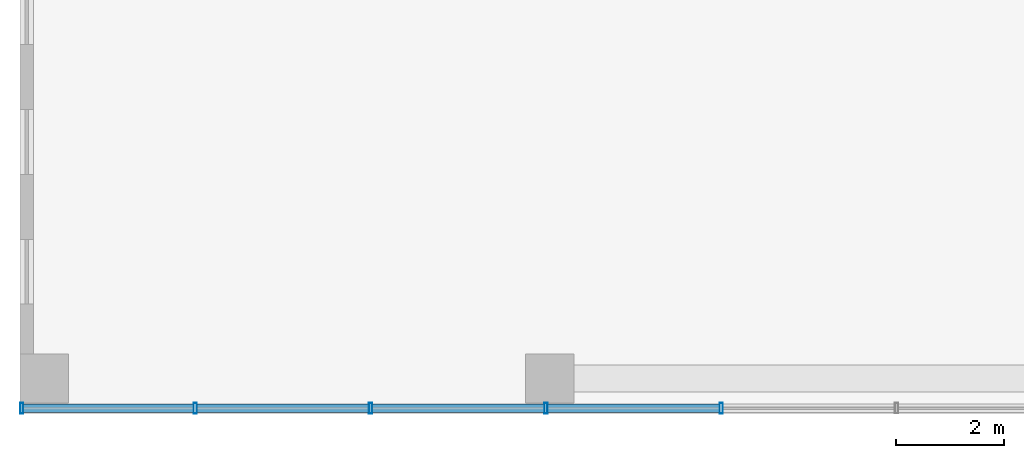
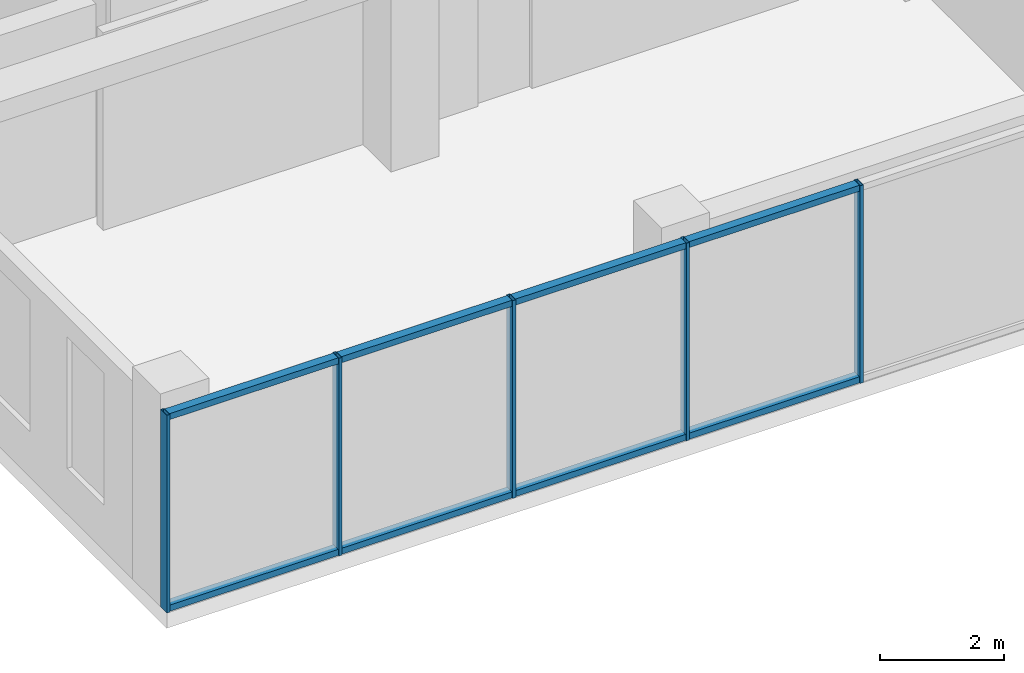
# One storey, part 2 of 38: 13 members, 1 element without a shape of its own.
"""IFC4 building model written with IfcOpenShell, lengths in metres."""

from ifc_helpers import new_model, si_unit, direction, frame, origin, origin_2d, place, context, subcontext, project, spatial, hollow_rectangle, extrude, material, layer, layer_set, material_profile, profile_set, type_object, element, aggregate, save


model = new_model("IFC4")

# Units and contexts
model_context = context("Model", 3, precision=1e-05, world=origin(), true_north=direction((0.0, 1.0)))
body_context = subcontext(model_context, "Body", "Model", "MODEL_VIEW")
ifc_project = project(units=[si_unit("LENGTHUNIT", "METRE"), si_unit("AREAUNIT", "SQUARE_METRE"), si_unit("VOLUMEUNIT", "CUBIC_METRE"), si_unit("PLANEANGLEUNIT", "RADIAN"), si_unit("MASSUNIT", "GRAM", prefix="KILO")], contexts=[model_context])

# Site, building, storey
site_placement = place(None, origin())
site = spatial("IfcSite", under=ifc_project, at=site_placement, CompositionType="ELEMENT")
building_placement = place(site_placement, origin())
building = spatial("IfcBuilding", under=site, at=building_placement, Name="Nzadi Deep Aquarium and Research Tower", CompositionType="ELEMENT")
storey_placement = place(building_placement, frame((0.0, 0.0, 48.699951171875)))
storey = spatial("IfcBuildingStorey", under=building, at=storey_placement, Name="L09", CompositionType="ELEMENT", Elevation=48.699951171875)

# Curtain wall, members
ifc_material_1 = material(Name="Aluminium unitised frame", Category="aluminium")
ifc_layer = layer(ifc_material_1, 0.199951171875)
ifc_layer_set = layer_set([ifc_layer], Name="Aluminium unitised frame")
curtain_wall_type = type_object("IfcCurtainWallType", Name="Curtain wall Unitised 200", PredefinedType="NOTDEFINED", material=ifc_layer_set)
curtain_wall_placement = place(storey_placement, origin())
curtain_wall = element("IfcCurtainWall", 1, at=curtain_wall_placement, inside=storey, type_object=curtain_wall_type, Name="Unitised curtain wall blade A south L09", PredefinedType="NOTDEFINED")
ifc_material_2 = material(Name="Aluminium unitised frame", Category="aluminium")
ifc_material_profile_1 = material_profile(ifc_material_2, hollow_rectangle(XDim=0.199951171875, YDim=0.06005859375, WallThickness=0.0048828125, at=origin_2d()))
ifc_profile_set_1 = profile_set([ifc_material_profile_1], Name="Aluminium unitised frame")
member_type_1 = type_object("IfcMemberType", Name="Mullion 60x200 Unitised", PredefinedType="MULLION", material=ifc_profile_set_1)
member_1_placement = place(storey_placement, frame((-0.16943359375, -0.10009765625, 0.0), z_axis=(0.0, 0.0, 1.0), x_axis=(0.0, 1.0, 0.0)))
member_1 = element("IfcMember", 2, at=member_1_placement, type_object=member_type_1, Name="CW029 mullion 1", PredefinedType="MULLION", context=body_context, shape_type="SweptSolid", body=[
    extrude(hollow_rectangle(XDim=0.199951171875, YDim=0.06005859375, WallThickness=0.0048828125, at=origin_2d()), origin(), (0.0, 0.0, 1.0), 3.900146484375),
])
member_2_placement = place(storey_placement, frame((3.043212890625, -0.10009765625, 0.0), z_axis=(0.0, 0.0, 1.0), x_axis=(0.0, 1.0, 0.0)))
member_2 = element("IfcMember", 3, at=member_2_placement, type_object=member_type_1, Name="CW029 mullion 2", PredefinedType="MULLION", context=body_context, shape_type="SweptSolid", body=[
    extrude(hollow_rectangle(XDim=0.199951171875, YDim=0.06005859375, WallThickness=0.0048828125, at=origin_2d()), origin(), (0.0, 0.0, 1.0), 3.900146484375),
])
member_3_placement = place(storey_placement, frame((6.28662109375, -0.10009765625, 0.0), z_axis=(0.0, 0.0, 1.0), x_axis=(0.0, 1.0, 0.0)))
member_3 = element("IfcMember", 4, at=member_3_placement, type_object=member_type_1, Name="CW029 mullion 3", PredefinedType="MULLION", context=body_context, shape_type="SweptSolid", body=[
    extrude(hollow_rectangle(XDim=0.199951171875, YDim=0.06005859375, WallThickness=0.0048828125, at=origin_2d()), origin(), (0.0, 0.0, 1.0), 3.900146484375),
])
member_4_placement = place(storey_placement, frame((9.530029296875, -0.10009765625, 0.0), z_axis=(0.0, 0.0, 1.0), x_axis=(0.0, 1.0, 0.0)))
member_4 = element("IfcMember", 5, at=member_4_placement, type_object=member_type_1, Name="CW029 mullion 4", PredefinedType="MULLION", context=body_context, shape_type="SweptSolid", body=[
    extrude(hollow_rectangle(XDim=0.199951171875, YDim=0.06005859375, WallThickness=0.0048828125, at=origin_2d()), origin(), (0.0, 0.0, 1.0), 3.900146484375),
])
member_5_placement = place(storey_placement, frame((12.7734375, -0.10009765625, 0.0), z_axis=(0.0, 0.0, 1.0), x_axis=(0.0, 1.0, 0.0)))
member_5 = element("IfcMember", 6, at=member_5_placement, type_object=member_type_1, Name="CW029 mullion 5", PredefinedType="MULLION", context=body_context, shape_type="SweptSolid", body=[
    extrude(hollow_rectangle(XDim=0.199951171875, YDim=0.06005859375, WallThickness=0.0048828125, at=origin_2d()), origin(), (0.0, 0.0, 1.0), 3.900146484375),
])
ifc_material_3 = material(Name="Aluminium unitised frame", Category="aluminium")
ifc_material_profile_2 = material_profile(ifc_material_3, hollow_rectangle(XDim=0.159912109375, YDim=0.1201171875, WallThickness=0.0048828125, at=origin_2d()))
ifc_profile_set_2 = profile_set([ifc_material_profile_2], Name="Aluminium unitised frame")
member_type_2 = type_object("IfcMemberType", Name="Transom 120x160 Unitised", PredefinedType="MULLION", material=ifc_profile_set_2)
member_6_placement = place(storey_placement, frame((-0.139892578125, -0.10009765625, 0.06005859375), z_axis=(1.0, 0.0, 0.0), x_axis=(0.0, 1.0, 0.0)))
member_6 = element("IfcMember", 7, at=member_6_placement, type_object=member_type_2, Name="CW029 transom 1.1", PredefinedType="MULLION", context=body_context, shape_type="SweptSolid", body=[
    extrude(hollow_rectangle(XDim=0.159912109375, YDim=0.1201171875, WallThickness=0.0048828125, at=origin_2d()), origin(), (0.0, 0.0, 1.0), 3.1533203125),
])
member_7_placement = place(storey_placement, frame((-0.139892578125, -0.10009765625, 3.840087890625), z_axis=(1.0, 0.0, 0.0), x_axis=(0.0, 1.0, 0.0)))
member_7 = element("IfcMember", 8, at=member_7_placement, type_object=member_type_2, Name="CW029 transom 1.2", PredefinedType="MULLION", context=body_context, shape_type="SweptSolid", body=[
    extrude(hollow_rectangle(XDim=0.159912109375, YDim=0.1201171875, WallThickness=0.0048828125, at=origin_2d()), origin(), (0.0, 0.0, 1.0), 3.1533203125),
])
member_8_placement = place(storey_placement, frame((3.0732421875, -0.10009765625, 0.06005859375), z_axis=(1.0, 0.0, 0.0), x_axis=(0.0, 1.0, 0.0)))
member_8 = element("IfcMember", 9, at=member_8_placement, type_object=member_type_2, Name="CW029 transom 2.1", PredefinedType="MULLION", context=body_context, shape_type="SweptSolid", body=[
    extrude(hollow_rectangle(XDim=0.159912109375, YDim=0.1201171875, WallThickness=0.0048828125, at=origin_2d()), origin(), (0.0, 0.0, 1.0), 3.183349609375),
])
member_9_placement = place(storey_placement, frame((3.0732421875, -0.10009765625, 3.840087890625), z_axis=(1.0, 0.0, 0.0), x_axis=(0.0, 1.0, 0.0)))
member_9 = element("IfcMember", 10, at=member_9_placement, type_object=member_type_2, Name="CW029 transom 2.2", PredefinedType="MULLION", context=body_context, shape_type="SweptSolid", body=[
    extrude(hollow_rectangle(XDim=0.159912109375, YDim=0.1201171875, WallThickness=0.0048828125, at=origin_2d()), origin(), (0.0, 0.0, 1.0), 3.183349609375),
])
member_10_placement = place(storey_placement, frame((6.316650390625, -0.10009765625, 0.06005859375), z_axis=(1.0, 0.0, 0.0), x_axis=(0.0, 1.0, 0.0)))
member_10 = element("IfcMember", 11, at=member_10_placement, type_object=member_type_2, Name="CW029 transom 3.1", PredefinedType="MULLION", context=body_context, shape_type="SweptSolid", body=[
    extrude(hollow_rectangle(XDim=0.159912109375, YDim=0.1201171875, WallThickness=0.0048828125, at=origin_2d()), origin(), (0.0, 0.0, 1.0), 3.183349609375),
])
member_11_placement = place(storey_placement, frame((6.316650390625, -0.10009765625, 3.840087890625), z_axis=(1.0, 0.0, 0.0), x_axis=(0.0, 1.0, 0.0)))
member_11 = element("IfcMember", 12, at=member_11_placement, type_object=member_type_2, Name="CW029 transom 3.2", PredefinedType="MULLION", context=body_context, shape_type="SweptSolid", body=[
    extrude(hollow_rectangle(XDim=0.159912109375, YDim=0.1201171875, WallThickness=0.0048828125, at=origin_2d()), origin(), (0.0, 0.0, 1.0), 3.183349609375),
])
member_12_placement = place(storey_placement, frame((9.56005859375, -0.10009765625, 0.06005859375), z_axis=(1.0, 0.0, 0.0), x_axis=(0.0, 1.0, 0.0)))
member_12 = element("IfcMember", 13, at=member_12_placement, type_object=member_type_2, Name="CW029 transom 4.1", PredefinedType="MULLION", context=body_context, shape_type="SweptSolid", body=[
    extrude(hollow_rectangle(XDim=0.159912109375, YDim=0.1201171875, WallThickness=0.0048828125, at=origin_2d()), origin(), (0.0, 0.0, 1.0), 3.183349609375),
])
member_13_placement = place(storey_placement, frame((9.56005859375, -0.10009765625, 3.840087890625), z_axis=(1.0, 0.0, 0.0), x_axis=(0.0, 1.0, 0.0)))
member_13 = element("IfcMember", 14, at=member_13_placement, type_object=member_type_2, Name="CW029 transom 4.2", PredefinedType="MULLION", context=body_context, shape_type="SweptSolid", body=[
    extrude(hollow_rectangle(XDim=0.159912109375, YDim=0.1201171875, WallThickness=0.0048828125, at=origin_2d()), origin(), (0.0, 0.0, 1.0), 3.183349609375),
])
aggregate(curtain_wall, [member_1, member_2, member_3, member_4, member_5, member_6, member_7, member_8, member_9, member_10, member_11, member_12, member_13])

save(model, "model.ifc")
